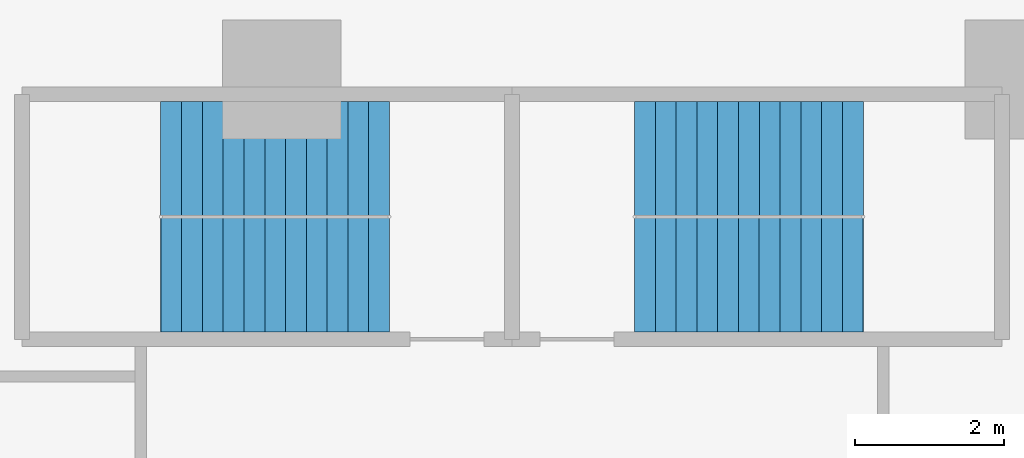
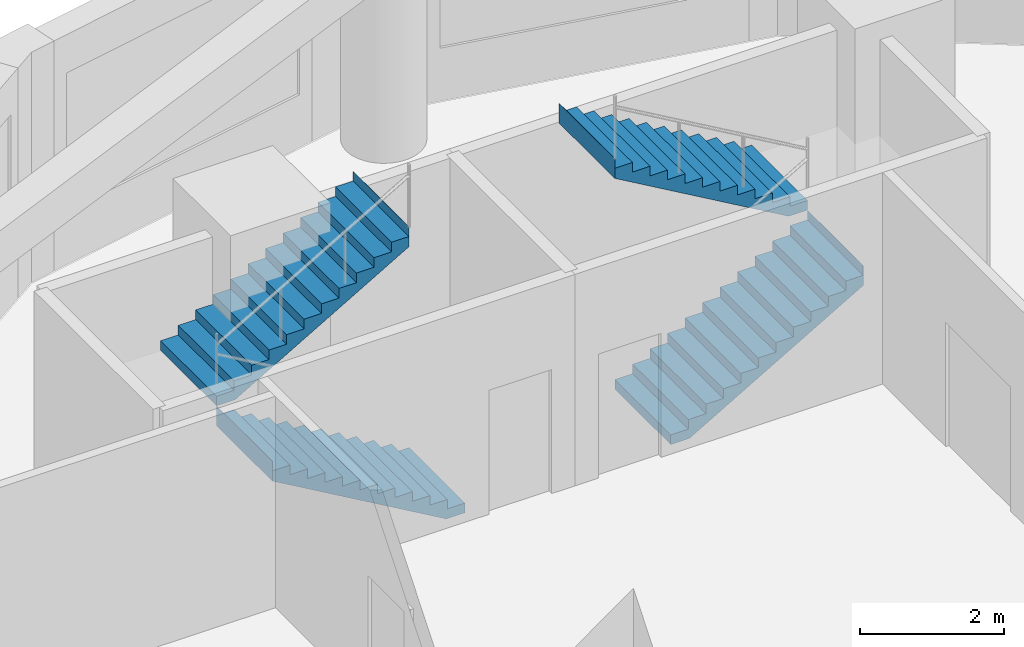
# One storey, part 8 of 10: 4 stair flights, 2 elements without a shape of their own.
"""IFC4 building model written with IfcOpenShell, lengths in metres."""

from ifc_helpers import new_model, si_unit, direction, frame, origin, place, context, subcontext, project, spatial, polyline, outline, extrude, material, type_object, element, aggregate, save


model = new_model("IFC4")

# Units and contexts
model_context = context("Model", 3, precision=1e-05, world=origin(), true_north=direction((0.0, 1.0)))
body_context = subcontext(model_context, "Body", "Model", "MODEL_VIEW")
ifc_project = project(units=[si_unit("LENGTHUNIT", "METRE"), si_unit("AREAUNIT", "SQUARE_METRE"), si_unit("VOLUMEUNIT", "CUBIC_METRE"), si_unit("PLANEANGLEUNIT", "RADIAN"), si_unit("MASSUNIT", "GRAM", prefix="KILO")], contexts=[model_context])

# Site, building, storey
site_placement = place(None, origin())
site = spatial("IfcSite", under=ifc_project, at=site_placement, CompositionType="ELEMENT")
building_placement = place(site_placement, origin())
building = spatial("IfcBuilding", under=site, at=building_placement, Name="Qaws Garden Tower", CompositionType="ELEMENT")
storey_placement = place(building_placement, frame((0.0, 0.0, 93.89990234375)))
storey = spatial("IfcBuildingStorey", under=building, at=storey_placement, Name="L23", CompositionType="ELEMENT", Elevation=93.89990234375)

# Stair, stair flights
ifc_material_1 = material(Name="Concrete C40", Category="concrete")
stair_type = type_object("IfcStairType", Name="Exit stair 1350", PredefinedType="HALF_TURN_STAIR", material=ifc_material_1)
placement = place(storey_placement, origin())
stair_1 = element("IfcStair", 1, at=placement, inside=storey, type_object=stair_type, Name="Stair 6", PredefinedType="HALF_TURN_STAIR")
ifc_material_2 = material(Name="Concrete C40", Category="concrete")
stair_flight_type = type_object("IfcStairFlightType", Name="Stair flight 1350", PredefinedType="STRAIGHT", material=ifc_material_2)
stair_flight_1_placement = place(storey_placement, frame((11.449951171875, 67.375, 0.0), z_axis=(0.0, 0.0, 1.0), x_axis=(-1.0, 0.0, 0.0)))
stair_flight_1 = element("IfcStairFlight", 2, at=stair_flight_1_placement, type_object=stair_flight_type, Name="ST6 flight 1", NumberOfRisers=12, NumberOfTreads=11, PredefinedType="STRAIGHT", RiserHeight=0.1625, TreadLength=0.28, context=body_context, shape_type="SweptSolid", body=[
    extrude(outline(polyline([(-0.0029296875, 0.0), (-0.0029296875, 0.16259765625), (0.0, 0.16259765625), (0.280029296875, 0.16259765625), (0.280029296875, 0.324951171875), (0.56005859375, 0.324951171875), (0.56005859375, 0.487548828125), (0.840087890625, 0.487548828125), (0.840087890625, 0.64990234375), (1.1201171875, 0.64990234375), (1.1201171875, 0.8125), (1.39990234375, 0.8125), (1.39990234375, 0.97509765625), (1.679931640625, 0.97509765625), (1.679931640625, 1.137451171875), (1.9599609375, 1.137451171875), (1.9599609375, 1.300048828125), (2.239990234375, 1.300048828125), (2.239990234375, 1.46240234375), (2.52001953125, 1.46240234375), (2.52001953125, 1.625), (2.800048828125, 1.625), (2.800048828125, 1.78759765625), (3.080078125, 1.78759765625), (3.080078125, 1.949951171875), (3.0830078125, 1.949951171875), (3.0830078125, 1.6142578125), (3.080078125, 1.6142578125), (0.298583984375, 0.0), (-0.0029296875, 0.0)])), frame((0.0, 0.77490234375, 0.0), z_axis=(0.0, -1.0, 0.0), x_axis=(1.0, 0.0, 0.0)), (0.0, 0.0, 1.0), 1.550048828125),
])
stair_flight_2_placement = place(storey_placement, frame((8.3701171875, 68.925048828125, 1.9501953125), z_axis=(0.0, 0.0, 1.0), x_axis=(1.0, 0.0, 0.0)))
stair_flight_2 = element("IfcStairFlight", 3, at=stair_flight_2_placement, type_object=stair_flight_type, Name="ST6 flight 2", NumberOfRisers=12, NumberOfTreads=11, PredefinedType="STRAIGHT", RiserHeight=0.1625, TreadLength=0.28, context=body_context, shape_type="SweptSolid", body=[
    extrude(outline(polyline([(-0.0029296875, 0.0), (-0.0029296875, 0.16259765625), (0.0, 0.16259765625), (0.280029296875, 0.16259765625), (0.280029296875, 0.324951171875), (0.56005859375, 0.324951171875), (0.56005859375, 0.487548828125), (0.840087890625, 0.487548828125), (0.840087890625, 0.64990234375), (1.1201171875, 0.64990234375), (1.1201171875, 0.8125), (1.39990234375, 0.8125), (1.39990234375, 0.97509765625), (1.679931640625, 0.97509765625), (1.679931640625, 1.137451171875), (1.9599609375, 1.137451171875), (1.9599609375, 1.300048828125), (2.239990234375, 1.300048828125), (2.239990234375, 1.46240234375), (2.52001953125, 1.46240234375), (2.52001953125, 1.625), (2.800048828125, 1.625), (2.800048828125, 1.78759765625), (3.080078125, 1.78759765625), (3.080078125, 1.949951171875), (3.0830078125, 1.949951171875), (3.0830078125, 1.6142578125), (3.080078125, 1.6142578125), (0.298583984375, 0.0), (-0.0029296875, 0.0)])), frame((0.0, 0.77490234375, 0.0), z_axis=(0.0, -1.0, 0.0), x_axis=(1.0, 0.0, 0.0)), (0.0, 0.0, 1.0), 1.550048828125),
])
aggregate(stair_1, [stair_flight_1, stair_flight_2])

stair_2 = element("IfcStair", 4, at=placement, inside=storey, type_object=stair_type, Name="Stair 7", PredefinedType="HALF_TURN_STAIR")
stair_flight_3_placement = place(storey_placement, frame((14.75, 67.375, 0.0), z_axis=(0.0, 0.0, 1.0), x_axis=(1.0, 0.0, 0.0)))
stair_flight_3 = element("IfcStairFlight", 5, at=stair_flight_3_placement, type_object=stair_flight_type, Name="ST7 flight 1", NumberOfRisers=12, NumberOfTreads=11, PredefinedType="STRAIGHT", RiserHeight=0.1625, TreadLength=0.28, context=body_context, shape_type="SweptSolid", body=[
    extrude(outline(polyline([(-0.0029296875, 0.0), (-0.0029296875, 0.16259765625), (0.0, 0.16259765625), (0.280029296875, 0.16259765625), (0.280029296875, 0.324951171875), (0.56005859375, 0.324951171875), (0.56005859375, 0.487548828125), (0.840087890625, 0.487548828125), (0.840087890625, 0.64990234375), (1.1201171875, 0.64990234375), (1.1201171875, 0.8125), (1.39990234375, 0.8125), (1.39990234375, 0.97509765625), (1.679931640625, 0.97509765625), (1.679931640625, 1.137451171875), (1.9599609375, 1.137451171875), (1.9599609375, 1.300048828125), (2.239990234375, 1.300048828125), (2.239990234375, 1.46240234375), (2.52001953125, 1.46240234375), (2.52001953125, 1.625), (2.800048828125, 1.625), (2.800048828125, 1.78759765625), (3.080078125, 1.78759765625), (3.080078125, 1.949951171875), (3.0830078125, 1.949951171875), (3.0830078125, 1.6142578125), (3.080078125, 1.6142578125), (0.298583984375, 0.0), (-0.0029296875, 0.0)])), frame((0.0, 0.77490234375, 0.0), z_axis=(0.0, -1.0, 0.0), x_axis=(1.0, 0.0, 0.0)), (0.0, 0.0, 1.0), 1.550048828125),
])
stair_flight_4_placement = place(storey_placement, frame((17.830078125, 68.925048828125, 1.9501953125), z_axis=(0.0, 0.0, 1.0), x_axis=(-1.0, 0.0, 0.0)))
stair_flight_4 = element("IfcStairFlight", 6, at=stair_flight_4_placement, type_object=stair_flight_type, Name="ST7 flight 2", NumberOfRisers=12, NumberOfTreads=11, PredefinedType="STRAIGHT", RiserHeight=0.1625, TreadLength=0.28, context=body_context, shape_type="SweptSolid", body=[
    extrude(outline(polyline([(-0.0029296875, 0.0), (-0.0029296875, 0.16259765625), (0.0, 0.16259765625), (0.280029296875, 0.16259765625), (0.280029296875, 0.324951171875), (0.56005859375, 0.324951171875), (0.56005859375, 0.487548828125), (0.840087890625, 0.487548828125), (0.840087890625, 0.64990234375), (1.1201171875, 0.64990234375), (1.1201171875, 0.8125), (1.39990234375, 0.8125), (1.39990234375, 0.97509765625), (1.679931640625, 0.97509765625), (1.679931640625, 1.137451171875), (1.9599609375, 1.137451171875), (1.9599609375, 1.300048828125), (2.239990234375, 1.300048828125), (2.239990234375, 1.46240234375), (2.52001953125, 1.46240234375), (2.52001953125, 1.625), (2.800048828125, 1.625), (2.800048828125, 1.78759765625), (3.080078125, 1.78759765625), (3.080078125, 1.949951171875), (3.0830078125, 1.949951171875), (3.0830078125, 1.6142578125), (3.080078125, 1.6142578125), (0.298583984375, 0.0), (-0.0029296875, 0.0)])), frame((0.0, 0.77490234375, 0.0), z_axis=(0.0, -1.0, 0.0), x_axis=(1.0, 0.0, 0.0)), (0.0, 0.0, 1.0), 1.550048828125),
])
aggregate(stair_2, [stair_flight_3, stair_flight_4])

save(model, "model.ifc")
